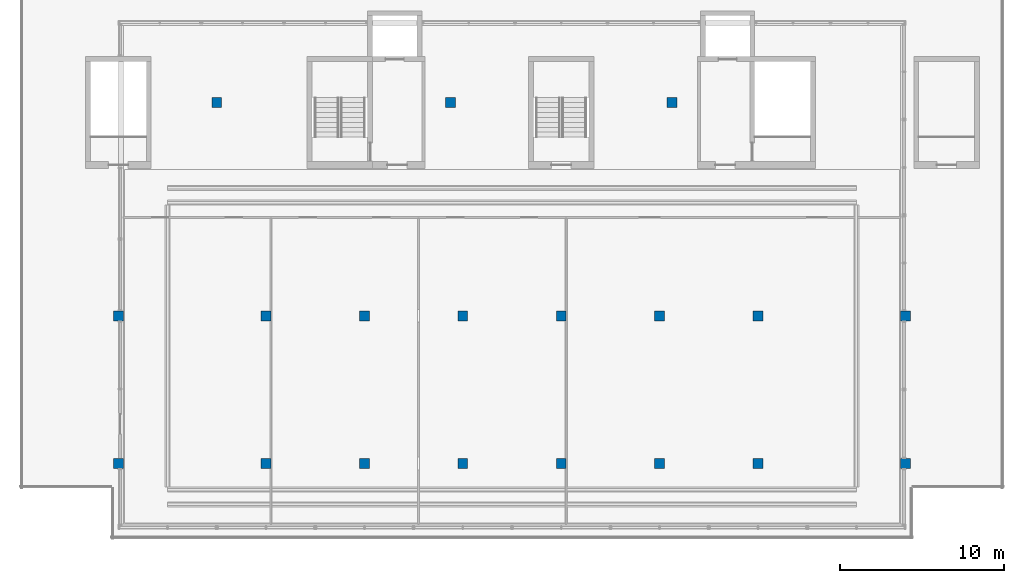
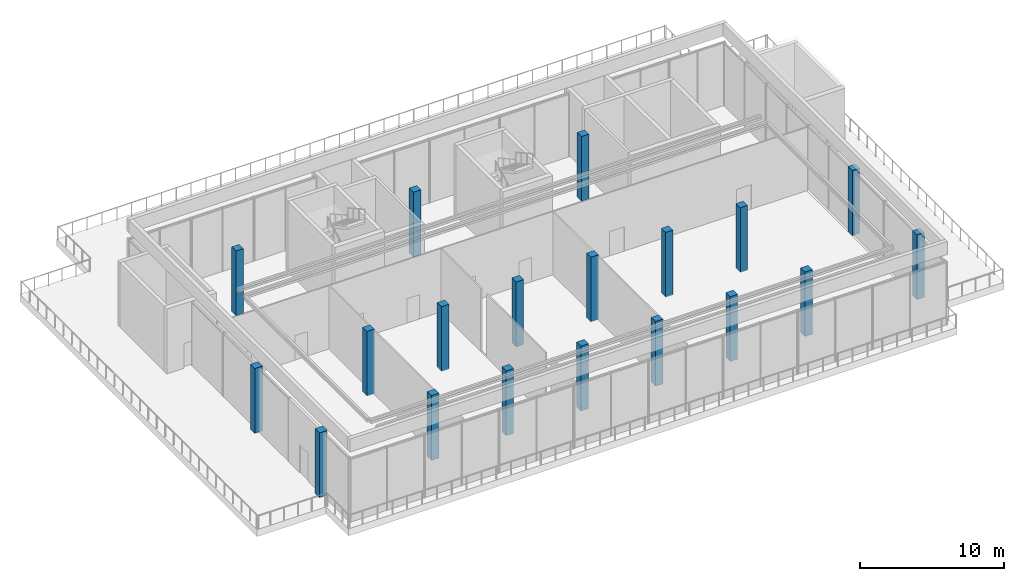
# One storey, part 1 of 11: 19 columns.
"""IFC4 building model written with IfcOpenShell, lengths in metres."""

from ifc_helpers import new_model, si_unit, direction, frame, origin, origin_2d, place, context, subcontext, project, spatial, rectangle, extrude, material, material_profile, profile_set, type_object, element, save


model = new_model("IFC4")

# Units and contexts
model_context = context("Model", 3, precision=1e-05, world=origin(), true_north=direction((0.0, 1.0)))
body_context = subcontext(model_context, "Body", "Model", "MODEL_VIEW")
ifc_project = project(units=[si_unit("LENGTHUNIT", "METRE"), si_unit("AREAUNIT", "SQUARE_METRE"), si_unit("VOLUMEUNIT", "CUBIC_METRE"), si_unit("PLANEANGLEUNIT", "RADIAN"), si_unit("MASSUNIT", "GRAM", prefix="KILO")], contexts=[model_context])

# Site, building, storey
site_placement = place(None, origin())
site = spatial("IfcSite", under=ifc_project, at=site_placement, CompositionType="ELEMENT")
building_placement = place(site_placement, origin())
building = spatial("IfcBuilding", under=site, at=building_placement, Name="Calvaro Tower", CompositionType="ELEMENT")
storey_placement = place(building_placement, frame((0.0, 0.0, 271.949951171875)))
storey = spatial("IfcBuildingStorey", under=building, at=storey_placement, Name="L68", CompositionType="ELEMENT", Elevation=271.949951171875)

# Columns
ifc_material = material(Name="Concrete C40/50", Category="concrete")
ifc_material_profile = material_profile(ifc_material, rectangle(XDim=0.60009765625, YDim=0.60009765625, at=origin_2d()), Name="RC 600x600")
ifc_profile_set = profile_set([ifc_material_profile], Name="Concrete C40/50")
column_type = type_object("IfcColumnType", Name="Drum column 600x600 C40/50", PredefinedType="COLUMN", material=ifc_profile_set)
for number, where, z_axis, x_axis, name in (
    (1, (21.0, 10.0, 0.0), (0.0, 0.0, 1.0), (1.0, 0.0, 0.0), "Drum column 1"),
    (2, (27.0, 10.0, 0.0), (0.0, 0.0, 1.0), (1.0, 0.0, 0.0), "Drum column 2"),
    (3, (33.0, 10.0, 0.0), (0.0, 0.0, 1.0), (1.0, 0.0, 0.0), "Drum column 3"),
    (4, (39.0, 10.0, 0.0), (0.0, 0.0, 1.0), (1.0, 0.0, 0.0), "Drum column 4"),
    (5, (45.0, 10.0, 0.0), (0.0, 0.0, 1.0), (1.0, 0.0, 0.0), "Drum column 5"),
    (6, (51.0, 10.0, 0.0), (0.0, 0.0, 1.0), (1.0, 0.0, 0.0), "Drum column 6"),
    (7, (21.0, 19.0, 0.0), (0.0, 0.0, 1.0), (1.0, 0.0, 0.0), "Drum column 7"),
    (8, (27.0, 19.0, 0.0), (0.0, 0.0, 1.0), (1.0, 0.0, 0.0), "Drum column 8"),
    (9, (33.0, 19.0, 0.0), (0.0, 0.0, 1.0), (1.0, 0.0, 0.0), "Drum column 9"),
    (10, (39.0, 19.0, 0.0), (0.0, 0.0, 1.0), (1.0, 0.0, 0.0), "Drum column 10"),
    (11, (45.0, 19.0, 0.0), (0.0, 0.0, 1.0), (1.0, 0.0, 0.0), "Drum column 11"),
    (12, (51.0, 19.0, 0.0), (0.0, 0.0, 1.0), (1.0, 0.0, 0.0), "Drum column 12"),
    (13, (12.0, 10.0, 0.0), (0.0, 0.0, 1.0), (1.0, 0.0, 0.0), "Drum column 13"),
    (14, (12.0, 19.0, 0.0), (0.0, 0.0, 1.0), (1.0, 0.0, 0.0), "Drum column 14"),
    (15, (60.0, 10.0, 0.0), (0.0, 0.0, 1.0), (1.0, 0.0, 0.0), "Drum column 15"),
    (16, (60.0, 19.0, 0.0), (0.0, 0.0, 1.0), (1.0, 0.0, 0.0), "Drum column 16"),
    (17, (18.0, 32.0, 0.0), (0.0, 0.0, 1.0), (1.0, 0.0, 0.0), "Drum column 17"),
    (18, (32.25, 32.0, 0.0), (0.0, 0.0, 1.0), (1.0, 0.0, 0.0), "Drum column 18"),
    (19, (45.75, 32.0, 0.0), (0.0, 0.0, 1.0), (1.0, 0.0, 0.0), "Drum column 19"),
):
    element("IfcColumn", number, at=place(storey_placement, frame(where, z_axis=z_axis, x_axis=x_axis)), inside=storey, type_object=column_type, Name=name, PredefinedType="COLUMN", context=body_context, shape_type="SweptSolid", body=[
        extrude(rectangle(XDim=0.60009765625, YDim=0.60009765625, at=origin_2d()), origin(), (0.0, 0.0, 1.0), 5.5),
    ])

save(model, "model.ifc")
